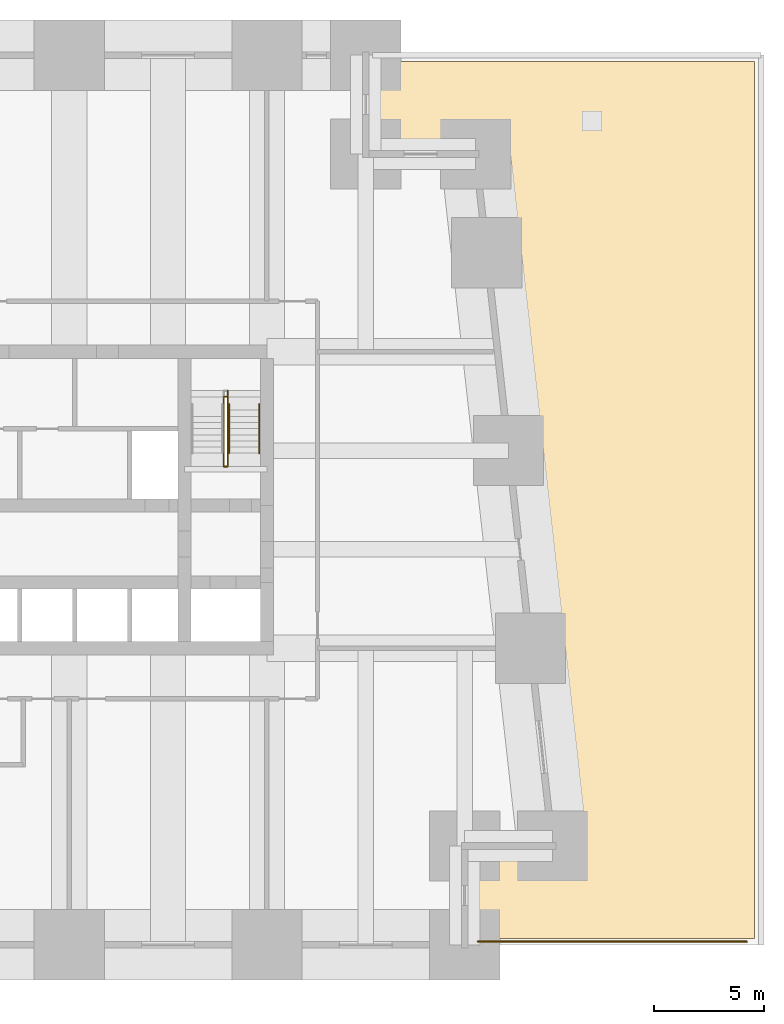
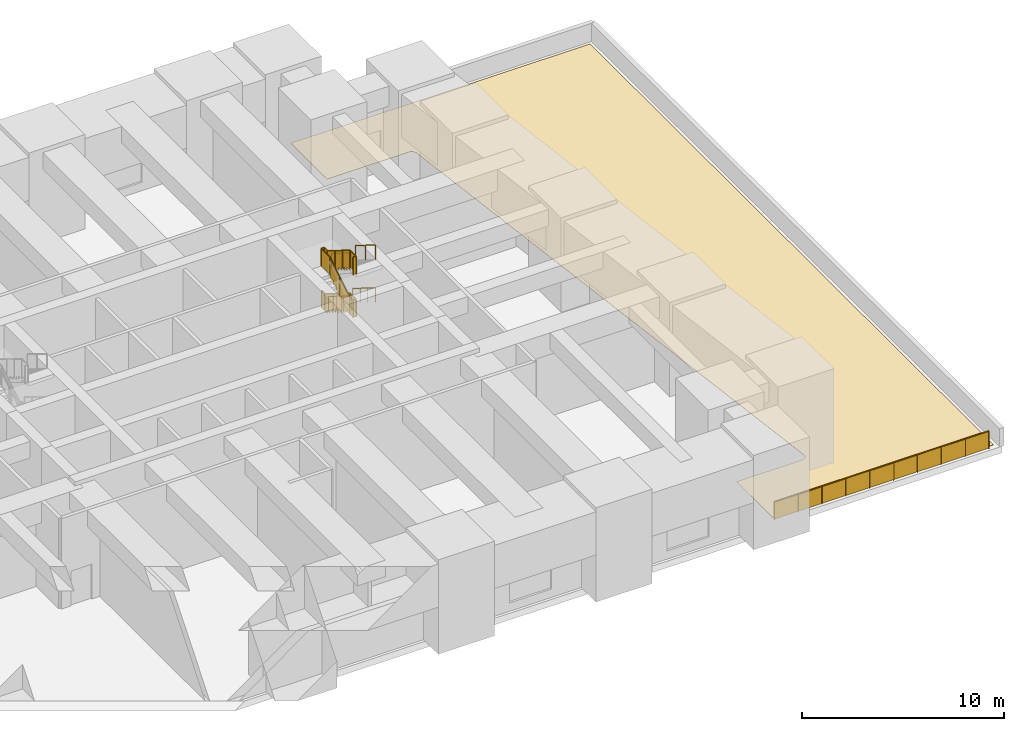
# One storey, part 7 of 7: 8 railings, 1 covering.
"""IFC4 building model written with IfcOpenShell, lengths in metres."""

from ifc_helpers import new_model, si_unit, direction, frame, origin, origin_2d, place, context, subcontext, project, spatial, polyline, circle, outline, extrude, material, layer, layer_set, type_object, element, save


model = new_model("IFC4")

# Units and contexts
model_context = context("Model", 3, precision=1e-05, world=origin(), true_north=direction((0.0, 1.0)))
body_context = subcontext(model_context, "Body", "Model", "MODEL_VIEW")
ifc_project = project(units=[si_unit("LENGTHUNIT", "METRE"), si_unit("AREAUNIT", "SQUARE_METRE"), si_unit("VOLUMEUNIT", "CUBIC_METRE"), si_unit("PLANEANGLEUNIT", "RADIAN"), si_unit("MASSUNIT", "GRAM", prefix="KILO")], contexts=[model_context])

# Site, building, storey
site_placement = place(None, origin())
site = spatial("IfcSite", under=ifc_project, at=site_placement, CompositionType="ELEMENT")
building_placement = place(site_placement, origin())
building = spatial("IfcBuilding", under=site, at=building_placement, Name="Kilele Tower Hotel", CompositionType="ELEMENT")
storey_placement = place(building_placement, frame((0.0, 0.0, 24.0)))
storey = spatial("IfcBuildingStorey", under=building, at=storey_placement, Name="L04", CompositionType="ELEMENT", Elevation=24.0)

# Railings
ifc_material_1 = material(Name="Toughened laminated glass balustrade", Category="glass")
railing_type_1 = type_object("IfcRailingType", Name="Glass balustrade 1100", PredefinedType="BALUSTRADE", material=ifc_material_1)
railing_1_placement = place(storey_placement, frame((57.85009765625, 0.14990234375, 0.0)))
element("IfcRailing", 1, at=railing_1_placement, inside=storey, type_object=railing_type_1, Name="Podium roof guard", PredefinedType="BALUSTRADE", context=body_context, shape_type="SweptSolid", body=[
    extrude(circle(Radius=0.030029296875, at=origin_2d()), frame((0.0, 0.0, 1.070068359375), z_axis=(-1.0, 0.0, 0.0), x_axis=(0.0, -1.0, 0.0)), (0.0, 0.0, 1.0), 12.25),
    extrude(circle(Radius=0.02490234375, at=origin_2d()), origin(), (0.0, 0.0, 1.0), 1.0400390625),
    extrude(circle(Radius=0.02490234375, at=origin_2d()), frame((-1.361083984375, 0.0, 0.0)), (0.0, 0.0, 1.0), 1.0400390625),
    extrude(circle(Radius=0.02490234375, at=origin_2d()), frame((-2.72216796875, 0.0, 0.0)), (0.0, 0.0, 1.0), 1.0400390625),
    extrude(circle(Radius=0.02490234375, at=origin_2d()), frame((-4.083251953125, 0.0, 0.0)), (0.0, 0.0, 1.0), 1.0400390625),
    extrude(circle(Radius=0.02490234375, at=origin_2d()), frame((-5.4443359375, 0.0, 0.0)), (0.0, 0.0, 1.0), 1.0400390625),
    extrude(circle(Radius=0.02490234375, at=origin_2d()), frame((-6.8056640625, 0.0, 0.0)), (0.0, 0.0, 1.0), 1.0400390625),
    extrude(circle(Radius=0.02490234375, at=origin_2d()), frame((-8.166748046875, 0.0, 0.0)), (0.0, 0.0, 1.0), 1.0400390625),
    extrude(circle(Radius=0.02490234375, at=origin_2d()), frame((-9.52783203125, 0.0, 0.0)), (0.0, 0.0, 1.0), 1.0400390625),
    extrude(circle(Radius=0.02490234375, at=origin_2d()), frame((-10.888916015625, 0.0, 0.0)), (0.0, 0.0, 1.0), 1.0400390625),
    extrude(circle(Radius=0.02490234375, at=origin_2d()), frame((-12.25, 0.0, 0.0)), (0.0, 0.0, 1.0), 1.0400390625),
    extrude(outline(polyline([(0.0, 0.030029296875), (12.25, 0.030029296875), (12.25, 1.0400390625), (0.0, 1.0400390625), (0.0, 0.030029296875)])), frame((0.0, -0.0087890625, 0.0), z_axis=(0.0, 1.0, 0.0), x_axis=(-1.0, 0.0, 0.0)), (0.0, 0.0, 1.0), 0.017578125),
])
ifc_material_2 = material(Name="Steel handrail", Category="steel")
railing_type_2 = type_object("IfcRailingType", Name="Handrail 900", PredefinedType="HANDRAIL", material=ifc_material_2)
for number, where, name in (
    (2, (34.27490234375, 24.6201171875, 1.727294921875), "Handrail ST2 flight 2"),
    (3, (35.64990234375, 24.6201171875, 1.727294921875), "Handrail ST2 flight 2"),
):
    element("IfcRailing", number, at=place(storey_placement, frame(where)), inside=storey, type_object=railing_type_2, Name=name, PredefinedType="HANDRAIL", context=body_context, shape_type="SweptSolid", body=[
        extrude(circle(Radius=0.02490234375, at=origin_2d()), frame((0.0, 0.0, 0.875), z_axis=(0.0, -0.851110085832, 0.524987258698), x_axis=(1.0, 0.0, 0.0)), (0.0, 0.0, 1.0), 2.632080078125),
        extrude(circle(Radius=0.02001953125, at=origin_2d()), origin(), (0.0, 0.0, 1.0), 0.849853515625),
        extrude(circle(Radius=0.02001953125, at=origin_2d()), frame((0.0, -0.746826171875, 0.460693359375)), (0.0, 0.0, 1.0), 0.849853515625),
        extrude(circle(Radius=0.02001953125, at=origin_2d()), frame((0.0, -1.493408203125, 0.921142578125)), (0.0, 0.0, 1.0), 0.849853515625),
        extrude(circle(Radius=0.02001953125, at=origin_2d()), frame((0.0, -2.240234375, 1.3818359375)), (0.0, 0.0, 1.0), 0.849853515625),
    ])
for number, where, name in (
    (4, (34.27490234375, 24.340087890625, 4.490966796875), "Handrail ST2 flight 4"),
    (5, (35.64990234375, 24.340087890625, 4.490966796875), "Handrail ST2 flight 4"),
):
    element("IfcRailing", number, at=place(storey_placement, frame(where)), inside=storey, type_object=railing_type_2, Name=name, PredefinedType="HANDRAIL", context=body_context, shape_type="SweptSolid", body=[
        extrude(circle(Radius=0.02490234375, at=origin_2d()), frame((0.0, 0.0, 0.875), z_axis=(0.0, -0.851133768193, 0.524948862883), x_axis=(1.0, 0.0, 0.0)), (0.0, 0.0, 1.0), 2.302978515625),
        extrude(circle(Radius=0.02001953125, at=origin_2d()), origin(), (0.0, 0.0, 1.0), 0.849853515625),
        extrude(circle(Radius=0.02001953125, at=origin_2d()), frame((0.0, -0.97998046875, 0.6044921875)), (0.0, 0.0, 1.0), 0.849853515625),
        extrude(circle(Radius=0.02001953125, at=origin_2d()), frame((0.0, -1.960205078125, 1.208984375)), (0.0, 0.0, 1.0), 0.849853515625),
    ])

# Covering
ifc_material_3 = material(Name="Bituminous roofing membrane with light stone mineral cap sheet", Category="masonry")
ifc_layer = layer(ifc_material_3, 0.02001953125)
ifc_layer_set = layer_set([ifc_layer], Name="Bituminous roofing membrane with light stone mineral cap sheet")
covering_type = type_object("IfcCoveringType", Name="Roofing membrane 20", PredefinedType="ROOFING", material=ifc_layer_set)
covering_placement = place(storey_placement, origin())
element("IfcCovering", 6, at=covering_placement, inside=storey, type_object=covering_type, Name="Podium roofing", PredefinedType="ROOFING", context=body_context, shape_type="SweptSolid", body=[
    extrude(outline(polyline([(46.069580078125, 36.316650390625), (46.069580078125, 36.37109375), (46.01611328125, 36.478271484375), (45.9814453125, 36.5126953125), (45.981201171875, 36.512939453125), (45.94677734375, 36.547607421875), (45.839599609375, 36.60107421875), (41.10107421875, 36.60107421875), (41.10107421875, 40.199951171875), (58.199951171875, 40.199951171875), (58.199951171875, 0.300048828125), (45.60107421875, 0.300048828125), (45.60107421875, 3.89892578125), (49.40625, 3.89892578125), (49.513427734375, 3.952392578125), (49.598388671875, 4.037353515625), (49.63623046875, 4.151123046875), (49.63623046875, 4.216796875), (46.069580078125, 36.316650390625)])), origin(), (0.0, 0.0, 1.0), 0.02001953125),
])

# Railings
ifc_material_4 = material(Name="Steel guard", Category="steel")
railing_type_3 = type_object("IfcRailingType", Name="Stair guard 1100", PredefinedType="GUARDRAIL", material=ifc_material_4)
railing_2_placement = place(storey_placement, frame((34.215087890625, 25.22509765625, 1.554443359375)))
element("IfcRailing", 7, at=railing_2_placement, inside=storey, type_object=railing_type_3, Name="Stair well guard ST2 flight 2", PredefinedType="GUARDRAIL", context=body_context, shape_type="SweptSolid", body=[
    extrude(circle(Radius=0.02490234375, at=origin_2d()), frame((0.0, 0.0, 1.0751953125), z_axis=(0.0, -1.0, 0.0), x_axis=(1.0, 0.0, 0.0)), (0.0, 0.0, 1.0), 0.3251953125),
    extrude(circle(Radius=0.02490234375, at=origin_2d()), frame((0.0, -0.3251953125, 1.0751953125), z_axis=(0.0, -0.851068937836, 0.525053962037), x_axis=(1.0, 0.0, 0.0)), (0.0, 0.0, 1.0), 2.9609375),
    extrude(circle(Radius=0.02490234375, at=origin_2d()), frame((0.0, -2.84521484375, 2.6298828125), z_axis=(0.0, -1.0, 0.0), x_axis=(1.0, 0.0, 0.0)), (0.0, 0.0, 1.0), 0.60498046875),
    extrude(circle(Radius=0.02490234375, at=origin_2d()), frame((0.0, -3.4501953125, 2.6298828125), z_axis=(-1.0, 0.0, 0.0), x_axis=(0.0, -1.0, 0.0)), (0.0, 0.0, 1.0), 0.18017578125),
    extrude(circle(Radius=0.02490234375, at=origin_2d()), origin(), (0.0, 0.0, 1.0), 1.050048828125),
    extrude(circle(Radius=0.02490234375, at=origin_2d()), frame((0.0, -0.3251953125, 0.0)), (0.0, 0.0, 1.0), 1.050048828125),
    extrude(circle(Radius=0.02490234375, at=origin_2d()), frame((0.0, -1.165283203125, 0.518310546875)), (0.0, 0.0, 1.0), 1.050048828125),
    extrude(circle(Radius=0.02490234375, at=origin_2d()), frame((0.0, -2.005126953125, 1.036376953125)), (0.0, 0.0, 1.0), 1.050048828125),
    extrude(circle(Radius=0.02490234375, at=origin_2d()), frame((0.0, -2.84521484375, 1.5546875)), (0.0, 0.0, 1.0), 1.050048828125),
    extrude(circle(Radius=0.02490234375, at=origin_2d()), frame((0.0, -3.4501953125, 1.5546875)), (0.0, 0.0, 1.0), 1.050048828125),
    extrude(circle(Radius=0.02490234375, at=origin_2d()), frame((-0.18017578125, -3.4501953125, 1.5546875)), (0.0, 0.0, 1.0), 1.050048828125),
    extrude(outline(polyline([(0.0, 0.030029296875), (0.312744140625, 0.030029296875), (0.312744140625, 1.050048828125), (0.0, 1.050048828125), (0.0, 0.030029296875)])), frame((0.005859375, 0.0, 0.0), z_axis=(-1.0, 0.0, 0.0), x_axis=(0.0, -1.0, 0.0)), (0.0, 0.0, 1.0), 0.011962890625),
    extrude(outline(polyline([(0.012451171875, 0.030029296875), (0.25, 0.030029296875), (0.25, 0.202880859375), (0.530029296875, 0.202880859375), (0.530029296875, 0.37548828125), (0.81005859375, 0.37548828125), (0.81005859375, 0.54833984375), (1.090087890625, 0.54833984375), (1.090087890625, 0.720947265625), (1.369873046875, 0.720947265625), (1.369873046875, 0.893798828125), (1.64990234375, 0.893798828125), (1.64990234375, 1.06640625), (1.929931640625, 1.06640625), (1.929931640625, 1.2392578125), (2.2099609375, 1.2392578125), (2.2099609375, 1.411865234375), (2.489990234375, 1.411865234375), (2.489990234375, 1.584716796875), (2.507568359375, 1.584716796875), (2.507568359375, 2.5927734375), (0.012451171875, 1.053466796875), (0.012451171875, 0.030029296875)])), frame((0.005859375, -0.3251953125, 0.0), z_axis=(-1.0, 0.0, 0.0), x_axis=(0.0, -1.0, 0.0)), (0.0, 0.0, 1.0), 0.011962890625),
    extrude(outline(polyline([(0.012451171875, 0.030029296875), (0.592529296875, 0.030029296875), (0.592529296875, 1.050048828125), (0.012451171875, 1.050048828125), (0.012451171875, 0.030029296875)])), frame((0.005859375, -2.84521484375, 1.5546875), z_axis=(-1.0, 0.0, 0.0), x_axis=(0.0, -1.0, 0.0)), (0.0, 0.0, 1.0), 0.011962890625),
    extrude(outline(polyline([(0.012451171875, 0.030029296875), (0.18017578125, 0.030029296875), (0.18017578125, 1.050048828125), (0.012451171875, 1.050048828125), (0.012451171875, 0.030029296875)])), frame((0.0, -3.4560546875, 1.5546875), z_axis=(0.0, 1.0, 0.0), x_axis=(-1.0, 0.0, 0.0)), (0.0, 0.0, 1.0), 0.011962890625),
])
railing_3_placement = place(storey_placement, frame((34.034912109375, 21.77490234375, 3.109130859375)))
element("IfcRailing", 8, at=railing_3_placement, inside=storey, type_object=railing_type_3, Name="Stair well guard ST2 flight 3", PredefinedType="GUARDRAIL", context=body_context, shape_type="SweptSolid", body=[
    extrude(circle(Radius=0.02490234375, at=origin_2d()), frame((0.0, 0.0, 1.0751953125), z_axis=(0.0, 1.0, 0.0), x_axis=(-1.0, 0.0, 0.0)), (0.0, 0.0, 1.0), 0.3251953125),
    extrude(circle(Radius=0.02490234375, at=origin_2d()), frame((0.0, 0.3251953125, 1.0751953125), z_axis=(0.0, 0.851104551628, 0.524996230651), x_axis=(-1.0, 0.0, 0.0)), (0.0, 0.0, 1.0), 2.302734375),
    extrude(circle(Radius=0.02490234375, at=origin_2d()), frame((0.0, 2.28515625, 2.2841796875), z_axis=(0.0, 1.0, 0.0), x_axis=(-1.0, 0.0, 0.0)), (0.0, 0.0, 1.0), 0.885009765625),
    extrude(circle(Radius=0.02490234375, at=origin_2d()), frame((0.0, 3.170166015625, 2.2841796875), z_axis=(1.0, 0.0, 0.0), x_axis=(0.0, 1.0, 0.0)), (0.0, 0.0, 1.0), 0.18017578125),
    extrude(circle(Radius=0.02490234375, at=origin_2d()), origin(), (0.0, 0.0, 1.0), 1.050048828125),
    extrude(circle(Radius=0.02490234375, at=origin_2d()), frame((0.0, 0.3251953125, 0.0)), (0.0, 0.0, 1.0), 1.050048828125),
    extrude(circle(Radius=0.02490234375, at=origin_2d()), frame((0.0, 1.30517578125, 0.6044921875)), (0.0, 0.0, 1.0), 1.050048828125),
    extrude(circle(Radius=0.02490234375, at=origin_2d()), frame((0.0, 2.28515625, 1.208984375)), (0.0, 0.0, 1.0), 1.050048828125),
    extrude(circle(Radius=0.02490234375, at=origin_2d()), frame((0.0, 3.170166015625, 1.208984375)), (0.0, 0.0, 1.0), 1.050048828125),
    extrude(circle(Radius=0.02490234375, at=origin_2d()), frame((0.18017578125, 3.170166015625, 1.208984375)), (0.0, 0.0, 1.0), 1.050048828125),
    extrude(outline(polyline([(0.0, 0.030029296875), (0.312744140625, 0.030029296875), (0.312744140625, 1.050048828125), (0.0, 1.050048828125), (0.0, 0.030029296875)])), frame((-0.005859375, 0.0, 0.0), z_axis=(1.0, 0.0, 0.0), x_axis=(0.0, 1.0, 0.0)), (0.0, 0.0, 1.0), 0.011962890625),
    extrude(outline(polyline([(0.012451171875, 0.030029296875), (0.25, 0.030029296875), (0.25, 0.20263671875), (0.530029296875, 0.20263671875), (0.530029296875, 0.37548828125), (0.81005859375, 0.37548828125), (0.81005859375, 0.548095703125), (1.08984375, 0.548095703125), (1.08984375, 0.720947265625), (1.369873046875, 0.720947265625), (1.369873046875, 0.8935546875), (1.64990234375, 0.8935546875), (1.64990234375, 1.06640625), (1.929931640625, 1.06640625), (1.929931640625, 1.239013671875), (1.947509765625, 1.239013671875), (1.947509765625, 2.2470703125), (0.012451171875, 1.053466796875), (0.012451171875, 0.030029296875)])), frame((-0.005859375, 0.3251953125, 0.0), z_axis=(1.0, 0.0, 0.0), x_axis=(0.0, 1.0, 0.0)), (0.0, 0.0, 1.0), 0.011962890625),
    extrude(outline(polyline([(0.012451171875, 0.030029296875), (0.87255859375, 0.030029296875), (0.87255859375, 1.050048828125), (0.012451171875, 1.050048828125), (0.012451171875, 0.030029296875)])), frame((-0.005859375, 2.28515625, 1.208984375), z_axis=(1.0, 0.0, 0.0), x_axis=(0.0, 1.0, 0.0)), (0.0, 0.0, 1.0), 0.011962890625),
    extrude(outline(polyline([(0.012451171875, 0.030029296875), (0.18017578125, 0.030029296875), (0.18017578125, 1.050048828125), (0.012451171875, 1.050048828125), (0.012451171875, 0.030029296875)])), frame((0.0, 3.17626953125, 1.208984375), z_axis=(0.0, -1.0, 0.0), x_axis=(1.0, 0.0, 0.0)), (0.0, 0.0, 1.0), 0.011962890625),
])
railing_4_placement = place(storey_placement, frame((34.215087890625, 24.945068359375, 4.318115234375)))
element("IfcRailing", 9, at=railing_4_placement, inside=storey, type_object=railing_type_3, Name="Stair well guard ST2 flight 4", PredefinedType="GUARDRAIL", context=body_context, shape_type="SweptSolid", body=[
    extrude(circle(Radius=0.02490234375, at=origin_2d()), frame((0.0, 0.0, 1.0751953125), z_axis=(0.0, -1.0, 0.0), x_axis=(1.0, 0.0, 0.0)), (0.0, 0.0, 1.0), 0.324951171875),
    extrude(circle(Radius=0.02490234375, at=origin_2d()), frame((0.0, -0.324951171875, 1.0751953125), z_axis=(0.0, -0.851110085832, 0.524987258698), x_axis=(1.0, 0.0, 0.0)), (0.0, 0.0, 1.0), 2.632080078125),
    extrude(circle(Radius=0.02490234375, at=origin_2d()), frame((0.0, -2.565185546875, 2.45703125), z_axis=(0.0, -1.0, 0.0), x_axis=(1.0, 0.0, 0.0)), (0.0, 0.0, 1.0), 0.60498046875),
    extrude(circle(Radius=0.02490234375, at=origin_2d()), frame((0.0, -3.170166015625, 2.45703125), z_axis=(-1.0, 0.0, 0.0), x_axis=(0.0, -1.0, 0.0)), (0.0, 0.0, 1.0), 0.18017578125),
    extrude(circle(Radius=0.02490234375, at=origin_2d()), origin(), (0.0, 0.0, 1.0), 1.050048828125),
    extrude(circle(Radius=0.02490234375, at=origin_2d()), frame((0.0, -0.324951171875, 0.0)), (0.0, 0.0, 1.0), 1.050048828125),
    extrude(circle(Radius=0.02490234375, at=origin_2d()), frame((0.0, -1.07177734375, 0.460693359375)), (0.0, 0.0, 1.0), 1.050048828125),
    extrude(circle(Radius=0.02490234375, at=origin_2d()), frame((0.0, -1.818359375, 0.921142578125)), (0.0, 0.0, 1.0), 1.050048828125),
    extrude(circle(Radius=0.02490234375, at=origin_2d()), frame((0.0, -2.565185546875, 1.3818359375)), (0.0, 0.0, 1.0), 1.050048828125),
    extrude(circle(Radius=0.02490234375, at=origin_2d()), frame((0.0, -3.170166015625, 1.3818359375)), (0.0, 0.0, 1.0), 1.050048828125),
    extrude(circle(Radius=0.02490234375, at=origin_2d()), frame((-0.18017578125, -3.170166015625, 1.3818359375)), (0.0, 0.0, 1.0), 1.050048828125),
    extrude(outline(polyline([(0.0, 0.030029296875), (0.3125, 0.030029296875), (0.3125, 1.050048828125), (0.0, 1.050048828125), (0.0, 0.030029296875)])), frame((0.005859375, 0.0, 0.0), z_axis=(-1.0, 0.0, 0.0), x_axis=(0.0, -1.0, 0.0)), (0.0, 0.0, 1.0), 0.011962890625),
    extrude(outline(polyline([(0.012451171875, 0.030029296875), (0.25, 0.030029296875), (0.25, 0.20263671875), (0.530029296875, 0.20263671875), (0.530029296875, 0.37548828125), (0.81005859375, 0.37548828125), (0.81005859375, 0.54833984375), (1.090087890625, 0.54833984375), (1.090087890625, 0.720947265625), (1.3701171875, 0.720947265625), (1.3701171875, 0.8935546875), (1.650146484375, 0.8935546875), (1.650146484375, 1.06640625), (1.93017578125, 1.06640625), (1.93017578125, 1.2392578125), (2.210205078125, 1.2392578125), (2.210205078125, 1.411865234375), (2.227783203125, 1.411865234375), (2.227783203125, 2.419921875), (0.012451171875, 1.053466796875), (0.012451171875, 0.030029296875)])), frame((0.005859375, -0.324951171875, 0.0), z_axis=(-1.0, 0.0, 0.0), x_axis=(0.0, -1.0, 0.0)), (0.0, 0.0, 1.0), 0.011962890625),
    extrude(outline(polyline([(0.012451171875, 0.030029296875), (0.592529296875, 0.030029296875), (0.592529296875, 1.050048828125), (0.012451171875, 1.050048828125), (0.012451171875, 0.030029296875)])), frame((0.005859375, -2.565185546875, 1.3818359375), z_axis=(-1.0, 0.0, 0.0), x_axis=(0.0, -1.0, 0.0)), (0.0, 0.0, 1.0), 0.011962890625),
    extrude(outline(polyline([(0.012451171875, 0.030029296875), (0.18017578125, 0.030029296875), (0.18017578125, 1.050048828125), (0.012451171875, 1.050048828125), (0.012451171875, 0.030029296875)])), frame((0.0, -3.17626953125, 1.3818359375), z_axis=(0.0, 1.0, 0.0), x_axis=(-1.0, 0.0, 0.0)), (0.0, 0.0, 1.0), 0.011962890625),
])

save(model, "model.ifc")
